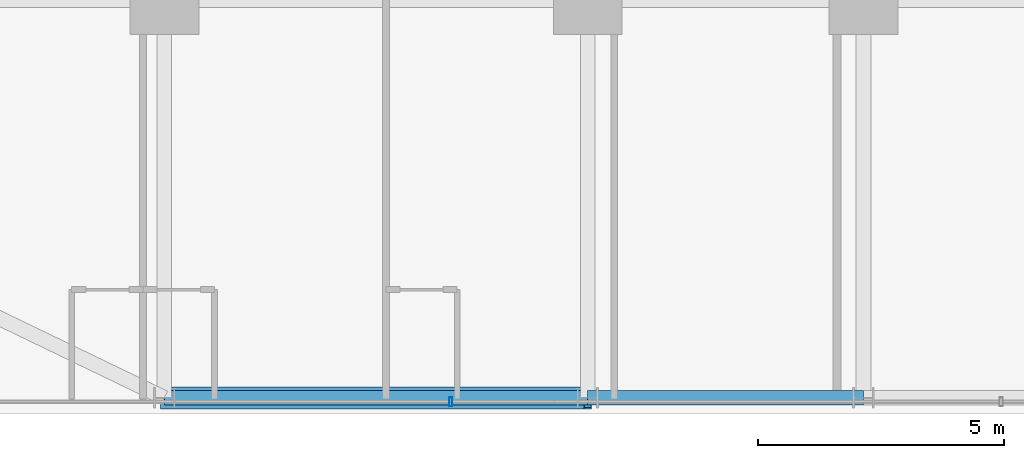
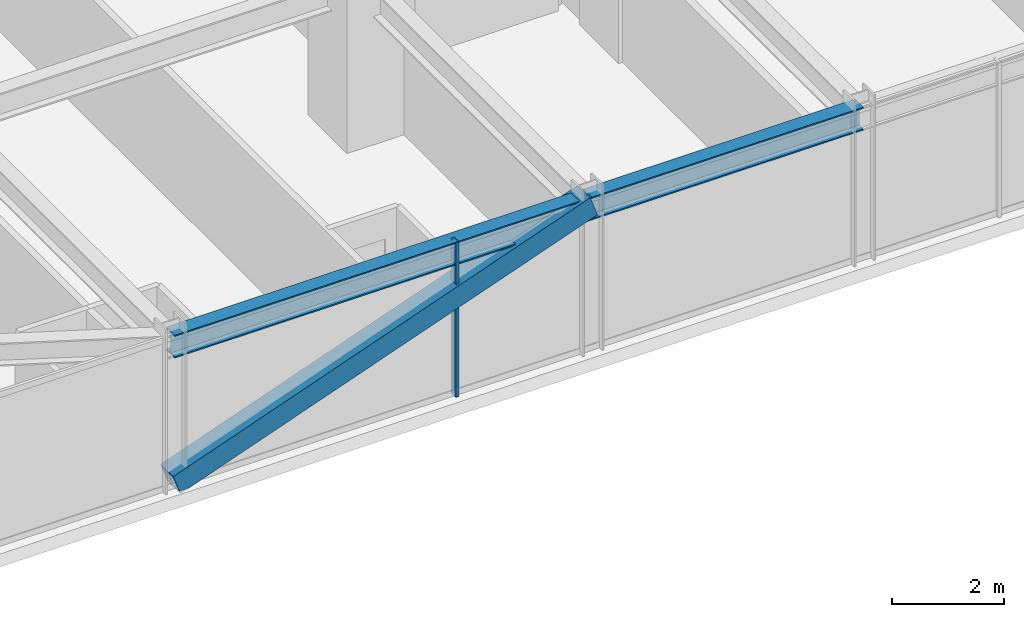
# One storey, part 6 of 39: 2 beams, 2 members, 1 element without a shape of its own.
"""IFC4 building model written with IfcOpenShell, lengths in metres."""

from ifc_helpers import new_model, si_unit, direction, frame, origin, origin_2d, place, context, subcontext, project, spatial, hollow_rectangle, i_section, extrude, source, transform, mapped, material, material_profile, profile_set, type_object, element, aggregate, save


model = new_model("IFC4")

# Units and contexts
model_context = context("Model", 3, precision=1e-05, world=origin(), true_north=direction((0.0, 1.0)))
body_context = subcontext(model_context, "Body", "Model", "MODEL_VIEW")
ifc_project = project(units=[si_unit("LENGTHUNIT", "METRE"), si_unit("AREAUNIT", "SQUARE_METRE"), si_unit("VOLUMEUNIT", "CUBIC_METRE"), si_unit("PLANEANGLEUNIT", "RADIAN"), si_unit("MASSUNIT", "GRAM", prefix="KILO")], contexts=[model_context])

# Site, building, storey
site_placement = place(None, origin())
site = spatial("IfcSite", under=ifc_project, at=site_placement, CompositionType="ELEMENT")
building_placement = place(site_placement, origin())
building = spatial("IfcBuilding", under=site, at=building_placement, Name="Nahalor Promenade Grand Hotel", CompositionType="ELEMENT")
storey_placement = place(building_placement, frame((0.0, 0.0, 32.39990234375)))
storey = spatial("IfcBuildingStorey", under=building, at=storey_placement, Name="L06", CompositionType="ELEMENT", Elevation=32.39990234375)

# Beams
ifc_material_1 = material(Name="Steel S355JR", Category="steel")
ifc_material_profile_1 = material_profile(ifc_material_1, i_section(OverallWidth=0.3, OverallDepth=0.5, WebThickness=0.0145, FlangeThickness=0.028, at=origin_2d()), Name="HEB 500")
ifc_profile_set_1 = profile_set([ifc_material_profile_1], Name="Steel S355JR")
beam_type = type_object("IfcBeamType", Name="Beam-Spandrel-HEB500", PredefinedType="SPANDREL", material=ifc_profile_set_1)
shared_shape_1 = source(origin(), body_context, "Body", "SweptSolid", [
    extrude(i_section(OverallWidth=0.3, OverallDepth=0.5, WebThickness=0.0145, FlangeThickness=0.028, at=origin_2d()), origin(), (0.0, 0.0, 1.0), 8.60009765625),
])
beam_1_placement = place(storey_placement, frame((-17.0, -25.080078125, 3.1201171875), z_axis=(1.0, 0.0, 0.0), x_axis=(0.0, 1.0, 0.0)))
element("IfcBeam", 1, at=beam_1_placement, inside=storey, type_object=beam_type, Name="BM-L06-SP-S-0", PredefinedType="SPANDREL", context=body_context, shape_type="MappedRepresentation", body=[
    mapped(shared_shape_1, transform((0.0, 0.0, 0.0), scale=1.0)),
])
shared_shape_2 = source(origin(), body_context, "Body", "SweptSolid", [
    extrude(i_section(OverallWidth=0.3, OverallDepth=0.5, WebThickness=0.0145, FlangeThickness=0.028, at=origin_2d()), origin(), (0.0, 0.0, 1.0), 5.599853515625),
])
beam_2_placement = place(storey_placement, frame((-8.39990234375, -25.080078125, 3.1201171875), z_axis=(1.0, 0.0, 0.0), x_axis=(0.0, 1.0, 0.0)))
element("IfcBeam", 2, at=beam_2_placement, inside=storey, type_object=beam_type, Name="BM-L06-SP-S-1", PredefinedType="SPANDREL", context=body_context, shape_type="MappedRepresentation", body=[
    mapped(shared_shape_2, transform((0.0, 0.0, 0.0), scale=1.0)),
])

# Member
ifc_material_2 = material(Name="Steel S355J2", Category="steel")
ifc_material_profile_2 = material_profile(ifc_material_2, hollow_rectangle(XDim=0.45, YDim=0.45, WallThickness=0.025, at=origin_2d()), Name="SHS 450x450x25")
ifc_profile_set_2 = profile_set([ifc_material_profile_2], Name="Steel S355J2")
member_type_1 = type_object("IfcMemberType", Name="Mem-ExoBrace-SHS450", PredefinedType="BRACE", material=ifc_profile_set_2)
shared_shape_3 = source(origin(), body_context, "Body", "SweptSolid", [
    extrude(hollow_rectangle(XDim=0.45, YDim=0.45, WallThickness=0.025, at=origin_2d()), origin(), (0.0, 0.0, 1.0), 9.131591796875),
])
member_1_placement = place(storey_placement, frame((-17.0, -25.080078125, 0.150146484375), z_axis=(0.941790292179, 0.0, 0.336200900589), x_axis=(0.0, 1.0, 0.0)))
element("IfcMember", 3, at=member_1_placement, inside=storey, type_object=member_type_1, Name="EXO-L06-S-0", PredefinedType="BRACE", context=body_context, shape_type="MappedRepresentation", body=[
    mapped(shared_shape_3, transform((0.0, 0.0, 0.0), scale=1.0)),
])

# Curtain wall, member
ifc_material_3 = material(Name="Anodised Bronze Aluminium EN AW-6063 T6", Category="aluminium")
curtain_wall_type = type_object("IfcCurtainWallType", Name="CW2 Typical Hotel Flush Bronze Unitised Curtain Wall", PredefinedType="USERDEFINED", material=ifc_material_3)
curtain_wall_placement = place(storey_placement, origin())
curtain_wall = element("IfcCurtainWall", 4, at=curtain_wall_placement, inside=storey, type_object=curtain_wall_type, Name="L06 Curtain Wall CW-L06-S-1", ObjectType="UNITISED_CURTAIN_WALL", PredefinedType="USERDEFINED")
ifc_material_profile_3 = material_profile(ifc_material_3, hollow_rectangle(XDim=0.065, YDim=0.18, WallThickness=0.004, at=origin_2d()), Name="CWM 65x180x4")
ifc_profile_set_3 = profile_set([ifc_material_profile_3], Name="Anodised Bronze Aluminium EN AW-6063 T6")
member_type_2 = type_object("IfcMemberType", Name="CWM2 Typical Bronze Mullion 65x180", PredefinedType="MULLION", material=ifc_profile_set_3)
shared_shape_4 = source(origin(), body_context, "Body", "SweptSolid", [
    extrude(hollow_rectangle(XDim=0.065, YDim=0.18, WallThickness=0.004, at=origin_2d()), origin(), (0.0, 0.0, 1.0), 3.3701171875),
])
member_2_placement = place(storey_placement, frame((-11.179931640625, -25.159912109375, 0.0), z_axis=(0.0, 0.0, 1.0), x_axis=(1.0, 0.0, 0.0)))
member_2 = element("IfcMember", 5, at=member_2_placement, type_object=member_type_2, Name="CW-L06-S-1 Mullion 1", PredefinedType="MULLION", context=body_context, shape_type="MappedRepresentation", body=[
    mapped(shared_shape_4, transform((0.0, 0.0, 0.0), scale=1.0)),
])
aggregate(curtain_wall, [member_2])

save(model, "model.ifc")
